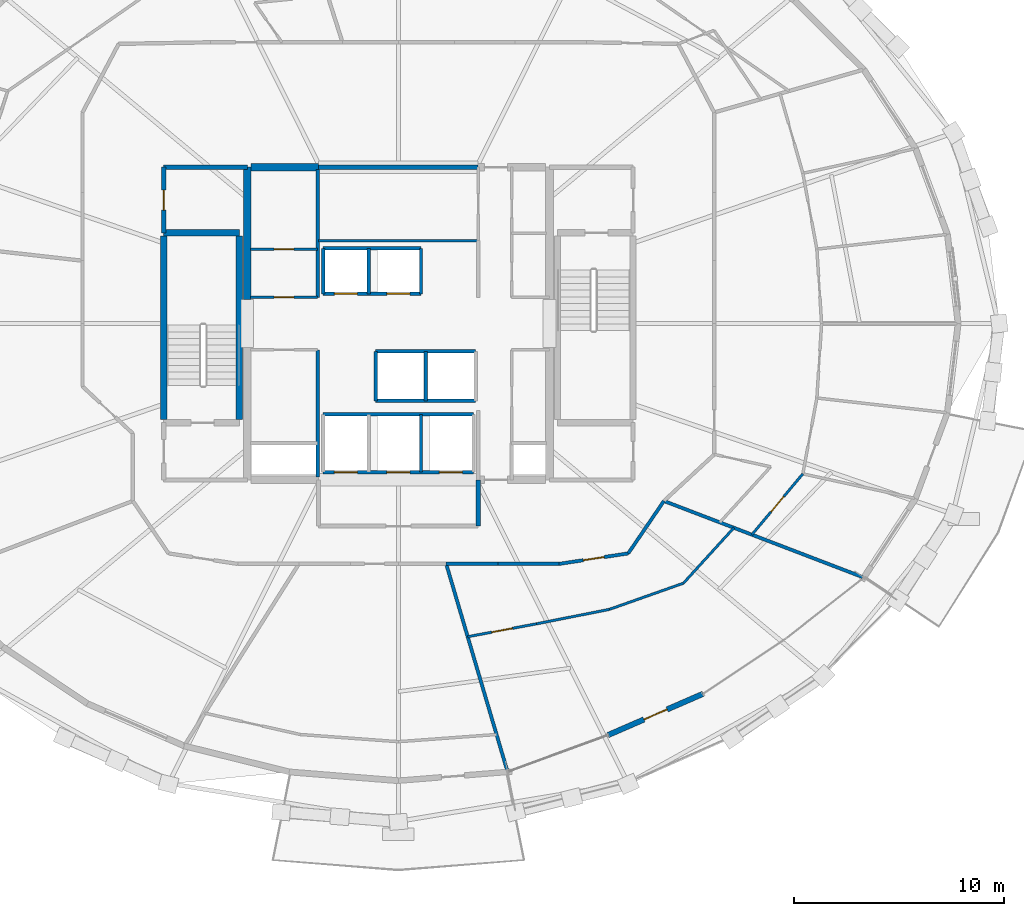
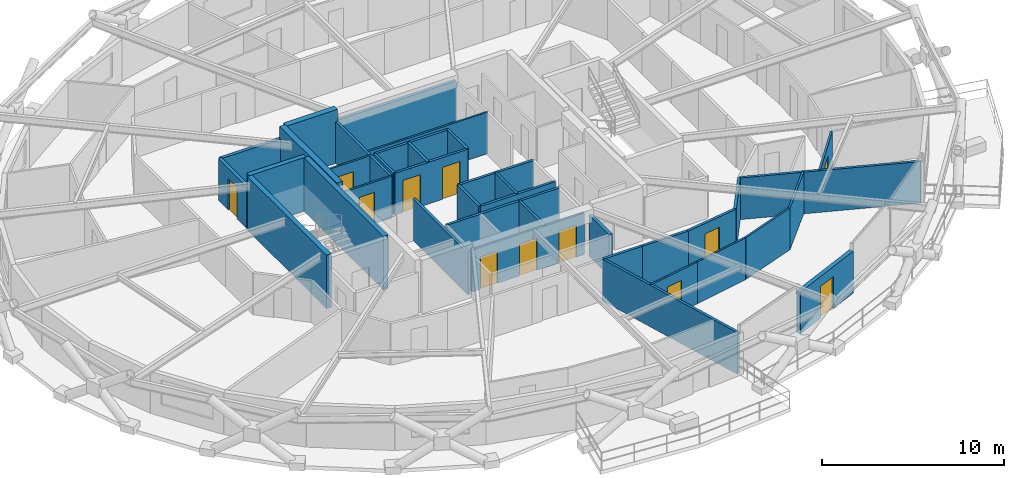
# One storey, part 8 of 12: 38 walls, 12 doors, 12 openings.
"""IFC4 building model written with IfcOpenShell, lengths in metres."""

from ifc_helpers import new_model, si_unit, direction, frame, frame_2d, origin, place, context, subcontext, project, spatial, rectangle, extrude, material, layer, layer_set, type_object, element, fill, save


model = new_model("IFC4")

# Units and contexts
model_context = context("Model", 3, precision=1e-05, world=origin(), true_north=direction((0.0, 1.0)))
body_context = subcontext(model_context, "Body", "Model", "MODEL_VIEW")
ifc_project = project(units=[si_unit("LENGTHUNIT", "METRE"), si_unit("AREAUNIT", "SQUARE_METRE"), si_unit("VOLUMEUNIT", "CUBIC_METRE"), si_unit("PLANEANGLEUNIT", "RADIAN"), si_unit("MASSUNIT", "GRAM", prefix="KILO")], contexts=[model_context])

# Site, building, storey
site_placement = place(None, origin())
site = spatial("IfcSite", under=ifc_project, at=site_placement, CompositionType="ELEMENT")
building_placement = place(site_placement, origin())
building = spatial("IfcBuilding", under=site, at=building_placement, Name="Veldorina Hangang Commons", CompositionType="ELEMENT")
storey_placement = place(building_placement, frame((0.0, 0.0, 124.39990234375)))
storey = spatial("IfcBuildingStorey", under=building, at=storey_placement, Name="L31", CompositionType="ELEMENT", Elevation=124.39990234375)

# Walls
ifc_material_1 = material(Name="Concrete C60/75", Category="concrete")
ifc_layer_1 = layer(ifc_material_1, 0.360107421875)
ifc_layer_set_1 = layer_set([ifc_layer_1], Name="Concrete C60/75")
wall_type_1 = type_object("IfcWallType", Name="CW-RC360-C60", PredefinedType="SHEAR", material=ifc_layer_set_1)
wall_1_placement = place(storey_placement, frame((24.800048828125, 25.14990234375, 0.0), z_axis=(0.0, 0.0, 1.0), x_axis=(0.0, 1.0, 0.0)))
element("IfcWall", 1, at=wall_1_placement, inside=storey, type_object=wall_type_1, Name="L31 W north core shear wall", PredefinedType="SHEAR", context=body_context, shape_type="SweptSolid", body=[
    extrude(rectangle(XDim=6.300048828125, YDim=0.360107421875, at=frame_2d((3.14990234375, 0.0))), origin(), (0.0, 0.0, 1.0), 3.60009765625),
])
wall_2_placement = place(storey_placement, frame((24.97998046875, 31.449951171875, 0.0), z_axis=(0.0, 0.0, 1.0), x_axis=(1.0, 0.0, 0.0)))
element("IfcWall", 2, at=wall_2_placement, inside=storey, type_object=wall_type_1, Name="L31 north-west core shear wall", PredefinedType="SHEAR", context=body_context, shape_type="SweptSolid", body=[
    extrude(rectangle(XDim=3.219970703125, YDim=0.360107421875, at=frame_2d((1.60986328125, 0.0))), origin(), (0.0, 0.0, 1.0), 3.60009765625),
])

# Wall, opening, door
ifc_material_2 = material(Name="Stone Roman Travertine", Category="masonry")
ifc_layer_2 = layer(ifc_material_2, 0.260009765625)
ifc_layer_set_2 = layer_set([ifc_layer_2], Name="Stone Roman Travertine")
wall_type_2 = type_object("IfcWallType", Name="EW-LOGGIA-260", PredefinedType="STANDARD", material=ifc_layer_set_2)
wall_3_placement = place(storey_placement, frame((41.990478515625, 4.396484375, 0.0), z_axis=(0.0, 0.0, 1.0), x_axis=(0.917175715583, 0.398483006846, 0.0)))
wall_3 = element("IfcWall", 3, at=wall_3_placement, inside=storey, type_object=wall_type_2, Name="L31 sky-garden loggia portal wall 26", PredefinedType="STANDARD", context=body_context, shape_type="SweptSolid", body=[
    extrude(rectangle(XDim=4.9208984375, YDim=0.260009765625, at=frame_2d((2.46044921875, 0.0))), origin(), (0.0, 0.0, 1.0), 2.820068359375),
])
opening_1_placement = place(wall_3_placement, frame((1.860595703125, 0.0, 0.0)))
opening_1 = element("IfcOpeningElement", 4, at=opening_1_placement, cuts=wall_3, Name="Opening BD-1200", PredefinedType="OPENING", context=body_context, shape_type="SweptSolid", body=[
    extrude(rectangle(XDim=1.199951171875, YDim=2.14990234375, at=frame_2d((0.60009765625, 1.074951171875))), frame((0.0, 0.14013671875, 0.0), z_axis=(0.0, -1.0, 0.0), x_axis=(1.0, 0.0, 0.0)), (0.0, 0.0, 1.0), 0.280029296875),
])
ifc_material_3 = material(Name="Glass Thermal Aluminium Frame", Category="aluminium")
door_type_1 = type_object("IfcDoorType", Name="DR-EXT-LOG1200", OperationType="SINGLE_SWING_LEFT", PredefinedType="DOOR", material=ifc_material_3)
door_1_placement = place(opening_1_placement, origin())
door_1 = element("IfcDoor", 5, at=door_1_placement, inside=storey, type_object=door_type_1, Name="L31 loggia glazed exterior door 26", OperationType="SINGLE_SWING_LEFT", OverallHeight=2.14990234375, OverallWidth=1.199951171875, PredefinedType="DOOR", context=body_context, shape_type="SweptSolid", body=[
    extrude(rectangle(XDim=1.199951171875, YDim=2.14990234375, at=frame_2d((0.60009765625, 1.074951171875))), frame((0.0, 0.02490234375, 0.0), z_axis=(0.0, -1.0, 0.0), x_axis=(1.0, 0.0, 0.0)), (0.0, 0.0, 1.0), 0.050048828125),
])
fill(opening_1, door_1)

# Walls
ifc_material_4 = material(Name="Concrete C50/60", Category="concrete")
ifc_layer_3 = layer(ifc_material_4, 0.300048828125)
ifc_layer_set_3 = layer_set([ifc_layer_3], Name="Concrete C50/60")
wall_type_3 = type_object("IfcWallType", Name="SW-STAIR-300", PredefinedType="SHEAR", material=ifc_layer_set_3)
for number, where, z_axis, x_axis, name in (
    (6, (20.820068359375, 19.429931640625, 0.0), (0.0, 0.0, 1.0), (0.0, 1.0, 0.0), "L31 ST1 outer stair shear wall"),
    (7, (24.419921875, 19.429931640625, 0.0), (0.0, 0.0, 1.0), (0.0, 1.0, 0.0), "L31 ST1 inner stair shear wall"),
):
    element("IfcWall", number, at=place(storey_placement, frame(where, z_axis=z_axis, x_axis=x_axis)), inside=storey, type_object=wall_type_3, Name=name, PredefinedType="SHEAR", context=body_context, shape_type="SweptSolid", body=[
        extrude(rectangle(XDim=8.739990234375, YDim=0.300048828125, at=frame_2d((4.3701171875, 0.0))), origin(), (0.0, 0.0, 1.0), 3.60009765625),
    ])
wall_4_placement = place(storey_placement, frame((20.820068359375, 28.320068359375, 0.0), z_axis=(0.0, 0.0, 1.0), x_axis=(1.0, 0.0, 0.0)))
element("IfcWall", 8, at=wall_4_placement, inside=storey, type_object=wall_type_3, Name="L31 ST1 north stair shear wall", PredefinedType="SHEAR", context=body_context, shape_type="SweptSolid", body=[
    extrude(rectangle(XDim=3.599853515625, YDim=0.300048828125, at=frame_2d((1.7998046875, 0.0))), origin(), (0.0, 0.0, 1.0), 3.60009765625),
])

# Wall, openings, doors
ifc_material_5 = material(Name="Gypsum Fire-Rated Twin Stud Wall", Category="gypsum")
ifc_layer_4 = layer(ifc_material_5, 0.159912109375)
ifc_layer_set_4 = layer_set([ifc_layer_4], Name="Gypsum Fire-Rated Twin Stud Wall")
wall_type_4 = type_object("IfcWallType", Name="WL-FIRE-160", PredefinedType="SOLIDWALL", material=ifc_layer_set_4)
wall_5_placement = place(storey_placement, frame((28.419921875, 25.419921875, 0.0), z_axis=(0.0, 0.0, 1.0), x_axis=(1.0, 0.0, 0.0)))
wall_5 = element("IfcWall", 9, at=wall_5_placement, inside=storey, type_object=wall_type_4, Name="L31 Mid-high front shaft wall 015", PredefinedType="SOLIDWALL", context=body_context, shape_type="SweptSolid", body=[
    extrude(rectangle(XDim=4.66015625, YDim=0.159912109375, at=frame_2d((2.330078125, 0.0))), origin(), (0.0, 0.0, 1.0), 2.800048828125),
])
opening_2_placement = place(wall_5_placement, frame((0.530029296875, 0.0, 0.0)))
opening_2 = element("IfcOpeningElement", 10, at=opening_2_placement, cuts=wall_5, Name="Opening LD-01", PredefinedType="OPENING", context=body_context, shape_type="SweptSolid", body=[
    extrude(rectangle(XDim=1.10009765625, YDim=2.14990234375, at=frame_2d((0.550048828125, 1.074951171875))), frame((0.0, 0.08984375, 0.0), z_axis=(0.0, -1.0, 0.0), x_axis=(1.0, 0.0, 0.0)), (0.0, 0.0, 1.0), 0.179931640625),
])
opening_3_placement = place(wall_5_placement, frame((3.030029296875, 0.0, 0.0)))
opening_3 = element("IfcOpeningElement", 11, at=opening_3_placement, cuts=wall_5, Name="Opening LD-01", PredefinedType="OPENING", context=body_context, shape_type="SweptSolid", body=[
    extrude(rectangle(XDim=1.10009765625, YDim=2.14990234375, at=frame_2d((0.550048828125, 1.074951171875))), frame((0.0, 0.08984375, 0.0), z_axis=(0.0, -1.0, 0.0), x_axis=(1.0, 0.0, 0.0)), (0.0, 0.0, 1.0), 0.179931640625),
])
ifc_material_6 = material(Name="Stainless Steel Brushed Lift Door", Category="steel")
door_type_2 = type_object("IfcDoorType", Name="DR-LIFT-1100", OperationType="SLIDING_TO_LEFT", PredefinedType="DOOR", material=ifc_material_6)
door_2_placement = place(opening_2_placement, origin())
door_2 = element("IfcDoor", 12, at=door_2_placement, inside=storey, type_object=door_type_2, Name="L31 Lift PL-M1 landing door 006", OperationType="SLIDING_TO_RIGHT", OverallHeight=2.14990234375, OverallWidth=1.10009765625, PredefinedType="DOOR", context=body_context, shape_type="SweptSolid", body=[
    extrude(rectangle(XDim=1.10009765625, YDim=2.14990234375, at=frame_2d((0.550048828125, 1.074951171875))), frame((0.0, 0.02490234375, 0.0), z_axis=(0.0, -1.0, 0.0), x_axis=(1.0, 0.0, 0.0)), (0.0, 0.0, 1.0), 0.050048828125),
])
fill(opening_2, door_2)
door_3_placement = place(opening_3_placement, origin())
door_3 = element("IfcDoor", 13, at=door_3_placement, inside=storey, type_object=door_type_2, Name="L31 Lift PL-M2 landing door 007", OperationType="SLIDING_TO_RIGHT", OverallHeight=2.14990234375, OverallWidth=1.10009765625, PredefinedType="DOOR", context=body_context, shape_type="SweptSolid", body=[
    extrude(rectangle(XDim=1.10009765625, YDim=2.14990234375, at=frame_2d((0.550048828125, 1.074951171875))), frame((0.0, 0.02490234375, 0.0), z_axis=(0.0, -1.0, 0.0), x_axis=(1.0, 0.0, 0.0)), (0.0, 0.0, 1.0), 0.050048828125),
])
fill(opening_3, door_3)

# Walls
wall_6_placement = place(storey_placement, frame((28.419921875, 27.580078125, 0.0), z_axis=(0.0, 0.0, 1.0), x_axis=(1.0, 0.0, 0.0)))
element("IfcWall", 14, at=wall_6_placement, inside=storey, type_object=wall_type_4, Name="L31 Mid-high rear shaft wall 016", PredefinedType="SOLIDWALL", context=body_context, shape_type="SweptSolid", body=[
    extrude(rectangle(XDim=4.66015625, YDim=0.159912109375, at=frame_2d((2.330078125, 0.0))), origin(), (0.0, 0.0, 1.0), 2.800048828125),
])
for number, where, z_axis, x_axis, name in (
    (15, (28.419921875, 25.419921875, 0.0), (0.0, 0.0, 1.0), (0.0, 1.0, 0.0), "L31 PL-M1 west shaft wall 017"),
    (16, (30.580078125, 25.419921875, 0.0), (0.0, 0.0, 1.0), (0.0, 1.0, 0.0), "L31 PL-M1 east shaft wall 018"),
    (17, (33.080078125, 25.419921875, 0.0), (0.0, 0.0, 1.0), (0.0, 1.0, 0.0), "L31 PL-M2 east shaft wall 019"),
):
    element("IfcWall", number, at=place(storey_placement, frame(where, z_axis=z_axis, x_axis=x_axis)), inside=storey, type_object=wall_type_4, Name=name, PredefinedType="SOLIDWALL", context=body_context, shape_type="SweptSolid", body=[
        extrude(rectangle(XDim=2.16015625, YDim=0.159912109375, at=frame_2d((1.080078125, 0.0))), origin(), (0.0, 0.0, 1.0), 2.800048828125),
    ])
for number, where, z_axis, x_axis, name in (
    (18, (30.919921875, 22.679931640625, 0.0), (0.0, 0.0, 1.0), (1.0, 0.0, 0.0), "L31 Shuttle-high front shaft wall 020"),
    (19, (30.919921875, 20.320068359375, 0.0), (0.0, 0.0, 1.0), (1.0, 0.0, 0.0), "L31 Shuttle-high rear shaft wall 021"),
):
    element("IfcWall", number, at=place(storey_placement, frame(where, z_axis=z_axis, x_axis=x_axis)), inside=storey, type_object=wall_type_4, Name=name, PredefinedType="SOLIDWALL", context=body_context, shape_type="SweptSolid", body=[
        extrude(rectangle(XDim=4.760009765625, YDim=0.159912109375, at=frame_2d((2.3798828125, 0.0))), origin(), (0.0, 0.0, 1.0), 2.800048828125),
    ])
for number, where, z_axis, x_axis, name in (
    (20, (30.919921875, 20.320068359375, 0.0), (0.0, 0.0, 1.0), (0.0, 1.0, 0.0), "L31 SL-1 west shaft wall 022"),
    (21, (33.300048828125, 20.320068359375, 0.0), (0.0, 0.0, 1.0), (0.0, 1.0, 0.0), "L31 SL-1 east shaft wall 023"),
):
    element("IfcWall", number, at=place(storey_placement, frame(where, z_axis=z_axis, x_axis=x_axis)), inside=storey, type_object=wall_type_4, Name=name, PredefinedType="SOLIDWALL", context=body_context, shape_type="SweptSolid", body=[
        extrude(rectangle(XDim=2.35986328125, YDim=0.159912109375, at=frame_2d((1.179931640625, 0.0))), origin(), (0.0, 0.0, 1.0), 2.800048828125),
    ])

# Wall, openings, doors
wall_7_placement = place(storey_placement, frame((28.419921875, 16.919921875, 0.0), z_axis=(0.0, 0.0, 1.0), x_axis=(1.0, 0.0, 0.0)))
wall_7 = element("IfcWall", 22, at=wall_7_placement, inside=storey, type_object=wall_type_4, Name="L31 Emergency front shaft wall 025", PredefinedType="SOLIDWALL", context=body_context, shape_type="SweptSolid", body=[
    extrude(rectangle(XDim=7.16015625, YDim=0.159912109375, at=frame_2d((3.580078125, 0.0))), origin(), (0.0, 0.0, 1.0), 2.800048828125),
])
opening_4_placement = place(wall_7_placement, frame((0.530029296875, 0.0, 0.0)))
opening_4 = element("IfcOpeningElement", 23, at=opening_4_placement, cuts=wall_7, Name="Opening LD-03", PredefinedType="OPENING", context=body_context, shape_type="SweptSolid", body=[
    extrude(rectangle(XDim=1.10009765625, YDim=2.14990234375, at=frame_2d((0.550048828125, 1.074951171875))), frame((0.0, 0.08984375, 0.0), z_axis=(0.0, -1.0, 0.0), x_axis=(1.0, 0.0, 0.0)), (0.0, 0.0, 1.0), 0.179931640625),
])
opening_5_placement = place(wall_7_placement, frame((3.030029296875, 0.0, 0.0)))
opening_5 = element("IfcOpeningElement", 24, at=opening_5_placement, cuts=wall_7, Name="Opening LD-03", PredefinedType="OPENING", context=body_context, shape_type="SweptSolid", body=[
    extrude(rectangle(XDim=1.10009765625, YDim=2.14990234375, at=frame_2d((0.550048828125, 1.074951171875))), frame((0.0, 0.08984375, 0.0), z_axis=(0.0, -1.0, 0.0), x_axis=(1.0, 0.0, 0.0)), (0.0, 0.0, 1.0), 0.179931640625),
])
opening_6_placement = place(wall_7_placement, frame((5.530029296875, 0.0, 0.0)))
opening_6 = element("IfcOpeningElement", 25, at=opening_6_placement, cuts=wall_7, Name="Opening LD-03", PredefinedType="OPENING", context=body_context, shape_type="SweptSolid", body=[
    extrude(rectangle(XDim=1.10009765625, YDim=2.14990234375, at=frame_2d((0.550048828125, 1.074951171875))), frame((0.0, 0.08984375, 0.0), z_axis=(0.0, -1.0, 0.0), x_axis=(1.0, 0.0, 0.0)), (0.0, 0.0, 1.0), 0.179931640625),
])
ifc_material_7 = material(Name="Stainless Steel Firefighting Lift Door", Category="steel")
door_type_3 = type_object("IfcDoorType", Name="DR-LIFT-FF1100", OperationType="SLIDING_TO_RIGHT", PredefinedType="DOOR", material=ifc_material_7)
door_4_placement = place(opening_4_placement, origin())
door_4 = element("IfcDoor", 26, at=door_4_placement, inside=storey, type_object=door_type_3, Name="L31 Emergency lift FFL-1 landing door 008", OperationType="SLIDING_TO_RIGHT", OverallHeight=2.14990234375, OverallWidth=1.10009765625, PredefinedType="DOOR", context=body_context, shape_type="SweptSolid", body=[
    extrude(rectangle(XDim=1.10009765625, YDim=2.14990234375, at=frame_2d((0.550048828125, 1.074951171875))), frame((0.0, 0.02490234375, 0.0), z_axis=(0.0, -1.0, 0.0), x_axis=(1.0, 0.0, 0.0)), (0.0, 0.0, 1.0), 0.050048828125),
])
fill(opening_4, door_4)
door_5_placement = place(opening_5_placement, origin())
door_5 = element("IfcDoor", 27, at=door_5_placement, inside=storey, type_object=door_type_3, Name="L31 Emergency lift FFL-2 landing door 009", OperationType="SLIDING_TO_RIGHT", OverallHeight=2.14990234375, OverallWidth=1.10009765625, PredefinedType="DOOR", context=body_context, shape_type="SweptSolid", body=[
    extrude(rectangle(XDim=1.10009765625, YDim=2.14990234375, at=frame_2d((0.550048828125, 1.074951171875))), frame((0.0, 0.02490234375, 0.0), z_axis=(0.0, -1.0, 0.0), x_axis=(1.0, 0.0, 0.0)), (0.0, 0.0, 1.0), 0.050048828125),
])
fill(opening_5, door_5)
door_6_placement = place(opening_6_placement, origin())
door_6 = element("IfcDoor", 28, at=door_6_placement, inside=storey, type_object=door_type_3, Name="L31 Emergency lift EVL-1 landing door 010", OperationType="SLIDING_TO_RIGHT", OverallHeight=2.14990234375, OverallWidth=1.10009765625, PredefinedType="DOOR", context=body_context, shape_type="SweptSolid", body=[
    extrude(rectangle(XDim=1.10009765625, YDim=2.14990234375, at=frame_2d((0.550048828125, 1.074951171875))), frame((0.0, 0.02490234375, 0.0), z_axis=(0.0, -1.0, 0.0), x_axis=(1.0, 0.0, 0.0)), (0.0, 0.0, 1.0), 0.050048828125),
])
fill(opening_6, door_6)

# Walls
wall_8_placement = place(storey_placement, frame((28.419921875, 19.679931640625, 0.0), z_axis=(0.0, 0.0, 1.0), x_axis=(1.0, 0.0, 0.0)))
element("IfcWall", 29, at=wall_8_placement, inside=storey, type_object=wall_type_4, Name="L31 Emergency rear shaft wall 026", PredefinedType="SOLIDWALL", context=body_context, shape_type="SweptSolid", body=[
    extrude(rectangle(XDim=7.16015625, YDim=0.159912109375, at=frame_2d((3.580078125, 0.0))), origin(), (0.0, 0.0, 1.0), 2.800048828125),
])
wall_9_placement = place(storey_placement, frame((33.080078125, 16.919921875, 0.0), z_axis=(0.0, 0.0, 1.0), x_axis=(0.0, 1.0, 0.0)))
element("IfcWall", 30, at=wall_9_placement, inside=storey, type_object=wall_type_4, Name="L31 FFL-2 east shaft wall 029", PredefinedType="SOLIDWALL", context=body_context, shape_type="SweptSolid", body=[
    extrude(rectangle(XDim=2.760009765625, YDim=0.159912109375, at=frame_2d((1.3798828125, 0.0))), origin(), (0.0, 0.0, 1.0), 2.800048828125),
])
wall_10_placement = place(storey_placement, frame((28.14990234375, 16.699951171875, 0.0), z_axis=(0.0, 0.0, 1.0), x_axis=(0.0, 1.0, 0.0)))
element("IfcWall", 31, at=wall_10_placement, inside=storey, type_object=wall_type_4, Name="L31 SW core inner wall 035", PredefinedType="SOLIDWALL", context=body_context, shape_type="SweptSolid", body=[
    extrude(rectangle(XDim=6.050048828125, YDim=0.159912109375, at=frame_2d((3.02490234375, 0.0))), origin(), (0.0, 0.0, 1.0), 2.800048828125),
])
wall_11_placement = place(storey_placement, frame((28.14990234375, 25.25, 0.0), z_axis=(0.0, 0.0, 1.0), x_axis=(0.0, 1.0, 0.0)))
element("IfcWall", 32, at=wall_11_placement, inside=storey, type_object=wall_type_4, Name="L31 NW core inner wall 037", PredefinedType="SOLIDWALL", context=body_context, shape_type="SweptSolid", body=[
    extrude(rectangle(XDim=6.10009765625, YDim=0.159912109375, at=frame_2d((3.050048828125, 0.0))), origin(), (0.0, 0.0, 1.0), 2.800048828125),
])
wall_12_placement = place(storey_placement, frame((34.277587890625, 12.550048828125, 0.0), z_axis=(0.0, 0.0, 1.0), x_axis=(1.0, 0.0, 0.0)))
element("IfcWall", 33, at=wall_12_placement, inside=storey, type_object=wall_type_4, Name="L31 U-corridor outer wall 25 071", PredefinedType="SOLIDWALL", context=body_context, shape_type="SweptSolid", body=[
    extrude(rectangle(XDim=2.465087890625, YDim=0.159912109375, at=frame_2d((1.232421875, 0.0))), origin(), (0.0, 0.0, 1.0), 2.800048828125),
])
wall_13_placement = place(storey_placement, frame((36.74267578125, 12.550048828125, 0.0), z_axis=(0.0, 0.0, 1.0), x_axis=(1.0, 0.0, 0.0)))
element("IfcWall", 34, at=wall_13_placement, inside=storey, type_object=wall_type_4, Name="L31 U-corridor outer wall 26 072", PredefinedType="SOLIDWALL", context=body_context, shape_type="SweptSolid", body=[
    extrude(rectangle(XDim=2.907958984375, YDim=0.159912109375, at=frame_2d((1.4541015625, 0.0))), origin(), (0.0, 0.0, 1.0), 2.800048828125),
])

# Wall, opening, door
wall_14_placement = place(storey_placement, frame((39.650634765625, 12.550048828125, 0.0), z_axis=(0.0, 0.0, 1.0), x_axis=(0.988710906508, 0.149835721217, 0.0)))
wall_14 = element("IfcWall", 35, at=wall_14_placement, inside=storey, type_object=wall_type_4, Name="L31 U-corridor outer wall 27 073", PredefinedType="SOLIDWALL", context=body_context, shape_type="SweptSolid", body=[
    extrude(rectangle(XDim=3.3369140625, YDim=0.159912109375, at=frame_2d((1.66845703125, 0.0))), origin(), (0.0, 0.0, 1.0), 2.800048828125),
])
opening_7_placement = place(wall_14_placement, frame((1.16845703125, 0.0, 0.0)))
opening_7 = element("IfcOpeningElement", 36, at=opening_7_placement, cuts=wall_14, Name="Opening D-05", PredefinedType="OPENING", context=body_context, shape_type="SweptSolid", body=[
    extrude(rectangle(XDim=1.0, YDim=2.10009765625, at=frame_2d((0.5, 1.050048828125))), frame((0.0, 0.08984375, 0.0), z_axis=(0.0, -1.0, 0.0), x_axis=(1.0, 0.0, 0.0)), (0.0, 0.0, 1.0), 0.179931640625),
])
ifc_material_8 = material(Name="Timber Solid Core Acoustic", Category="wood")
door_type_4 = type_object("IfcDoorType", Name="DR-INT-1000", OperationType="SINGLE_SWING_RIGHT", PredefinedType="DOOR", material=ifc_material_8)
door_7_placement = place(opening_7_placement, origin())
door_7 = element("IfcDoor", 37, at=door_7_placement, inside=storey, type_object=door_type_4, Name="L31 Commons alcove door 018", OperationType="SINGLE_SWING_RIGHT", OverallHeight=2.10009765625, OverallWidth=1.0, PredefinedType="DOOR", context=body_context, shape_type="SweptSolid", body=[
    extrude(rectangle(XDim=1.0, YDim=2.10009765625, at=frame_2d((0.5, 1.050048828125))), frame((0.0, 0.02490234375, 0.0), z_axis=(0.0, -1.0, 0.0), x_axis=(1.0, 0.0, 0.0)), (0.0, 0.0, 1.0), 0.050048828125),
])
fill(opening_7, door_7)

# Walls
wall_15_placement = place(storey_placement, frame((42.949951171875, 13.050048828125, 0.0), z_axis=(0.0, 0.0, 1.0), x_axis=(0.562674669208, 0.826678423955, 0.0)))
element("IfcWall", 38, at=wall_15_placement, inside=storey, type_object=wall_type_4, Name="L31 U-corridor outer wall 28 074", PredefinedType="SOLIDWALL", context=body_context, shape_type="SweptSolid", body=[
    extrude(rectangle(XDim=3.021240234375, YDim=0.159912109375, at=frame_2d((1.5107421875, 0.0))), origin(), (0.0, 0.0, 1.0), 2.800048828125),
])
wall_16_placement = place(storey_placement, frame((34.277587890625, 12.550048828125, 0.0), z_axis=(0.0, 0.0, 1.0), x_axis=(0.283064731291, -0.959100806954, 0.0)))
element("IfcWall", 39, at=wall_16_placement, inside=storey, type_object=wall_type_4, Name="L31 Unit party wall 25 078", PredefinedType="SOLIDWALL", context=body_context, shape_type="SweptSolid", body=[
    extrude(rectangle(XDim=10.28271484375, YDim=0.159912109375, at=frame_2d((5.141357421875, 0.0))), origin(), (0.0, 0.0, 1.0), 2.800048828125),
])
wall_17_placement = place(storey_placement, frame((44.64990234375, 15.547607421875, 0.0), z_axis=(0.0, 0.0, 1.0), x_axis=(0.933853161124, -0.35765664185, 0.0)))
element("IfcWall", 40, at=wall_17_placement, inside=storey, type_object=wall_type_4, Name="L31 Unit party wall 29 083", PredefinedType="SOLIDWALL", context=body_context, shape_type="SweptSolid", body=[
    extrude(rectangle(XDim=10.14697265625, YDim=0.159912109375, at=frame_2d((5.073486328125, 0.0))), origin(), (0.0, 0.0, 1.0), 2.800048828125),
])

# Wall, opening, door
ifc_material_9 = material(Name="Concrete Blockwork Fire Wall C30/37", Category="masonry")
ifc_layer_5 = layer(ifc_material_9, 0.199951171875)
ifc_layer_set_5 = layer_set([ifc_layer_5], Name="Concrete Blockwork Fire Wall C30/37")
wall_type_5 = type_object("IfcWallType", Name="WL-FIRE-200", PredefinedType="SOLIDWALL", material=ifc_layer_set_5)
wall_18_placement = place(storey_placement, frame((20.820068359375, 28.320068359375, 0.0), z_axis=(0.0, 0.0, 1.0), x_axis=(0.0, 1.0, 0.0)))
wall_18 = element("IfcWall", 41, at=wall_18_placement, inside=storey, type_object=wall_type_5, Name="L31 NW core room outer wall 005", PredefinedType="SOLIDWALL", context=body_context, shape_type="SweptSolid", body=[
    extrude(rectangle(XDim=3.1298828125, YDim=0.199951171875, at=frame_2d((1.56494140625, 0.0))), origin(), (0.0, 0.0, 1.0), 2.800048828125),
])
opening_8_placement = place(wall_18_placement, frame((1.090087890625, 0.0, 0.0)))
opening_8 = element("IfcOpeningElement", 42, at=opening_8_placement, cuts=wall_18, Name="Opening D-04", PredefinedType="OPENING", context=body_context, shape_type="SweptSolid", body=[
    extrude(rectangle(XDim=0.949951171875, YDim=2.10009765625, at=frame_2d((0.47509765625, 1.050048828125))), frame((0.0, 0.10986328125, 0.0), z_axis=(0.0, -1.0, 0.0), x_axis=(1.0, 0.0, 0.0)), (0.0, 0.0, 1.0), 0.219970703125),
])
ifc_material_10 = material(Name="Timber Accessible Flush Leaf", Category="wood")
door_type_5 = type_object("IfcDoorType", Name="DR-ACC-950", OperationType="SINGLE_SWING_LEFT", PredefinedType="DOOR", material=ifc_material_10)
door_8_placement = place(opening_8_placement, origin())
door_8 = element("IfcDoor", 43, at=door_8_placement, inside=storey, type_object=door_type_5, Name="L31 NW core WC door 003", OperationType="SINGLE_SWING_LEFT", OverallHeight=2.10009765625, OverallWidth=0.949951171875, PredefinedType="DOOR", context=body_context, shape_type="SweptSolid", body=[
    extrude(rectangle(XDim=0.949951171875, YDim=2.10009765625, at=frame_2d((0.47509765625, 1.050048828125))), frame((0.0, 0.02490234375, 0.0), z_axis=(0.0, -1.0, 0.0), x_axis=(1.0, 0.0, 0.0)), (0.0, 0.0, 1.0), 0.050048828125),
])
fill(opening_8, door_8)

# Walls
wall_19_placement = place(storey_placement, frame((20.820068359375, 31.449951171875, 0.0), z_axis=(0.0, 0.0, 1.0), x_axis=(1.0, 0.0, 0.0)))
element("IfcWall", 44, at=wall_19_placement, inside=storey, type_object=wall_type_5, Name="L31 NW core room north wall 006", PredefinedType="SOLIDWALL", context=body_context, shape_type="SweptSolid", body=[
    extrude(rectangle(XDim=3.97998046875, YDim=0.199951171875, at=frame_2d((1.989990234375, 0.0))), origin(), (0.0, 0.0, 1.0), 2.800048828125),
])
wall_20_placement = place(storey_placement, frame((35.800048828125, 14.35009765625, 0.0), z_axis=(0.0, 0.0, 1.0), x_axis=(0.0, 1.0, 0.0)))
element("IfcWall", 45, at=wall_20_placement, inside=storey, type_object=wall_type_5, Name="L31 FF lobby east wall 013", PredefinedType="SOLIDWALL", context=body_context, shape_type="SweptSolid", body=[
    extrude(rectangle(XDim=2.199951171875, YDim=0.199951171875, at=frame_2d((1.10009765625, 0.0))), origin(), (0.0, 0.0, 1.0), 2.800048828125),
])
wall_21_placement = place(storey_placement, frame((28.199951171875, 31.449951171875, 0.0), z_axis=(0.0, 0.0, 1.0), x_axis=(1.0, 0.0, 0.0)))
element("IfcWall", 46, at=wall_21_placement, inside=storey, type_object=wall_type_5, Name="L31 Merged north core wall 031", PredefinedType="SOLIDWALL", context=body_context, shape_type="SweptSolid", body=[
    extrude(rectangle(XDim=7.60009765625, YDim=0.199951171875, at=frame_2d((3.800048828125, 0.0))), origin(), (0.0, 0.0, 1.0), 2.800048828125),
])
ifc_material_11 = material(Name="Gypsum Acoustic Stud Partition", Category="gypsum")
ifc_layer_6 = layer(ifc_material_11, 0.1201171875)
ifc_layer_set_6 = layer_set([ifc_layer_6], Name="Gypsum Acoustic Stud Partition")
wall_type_6 = type_object("IfcWallType", Name="WL-PART-120", PredefinedType="PARTITIONING", material=ifc_layer_set_6)
wall_22_placement = place(storey_placement, frame((28.199951171875, 27.949951171875, 0.0), z_axis=(0.0, 0.0, 1.0), x_axis=(1.0, 0.0, 0.0)))
element("IfcWall", 47, at=wall_22_placement, inside=storey, type_object=wall_type_6, Name="L31 Merged north south wall 032", PredefinedType="PARTITIONING", context=body_context, shape_type="SweptSolid", body=[
    extrude(rectangle(XDim=7.60009765625, YDim=0.1201171875, at=frame_2d((3.800048828125, 0.0))), origin(), (0.0, 0.0, 1.0), 2.800048828125),
])

# Wall, opening, door
wall_23_placement = place(storey_placement, frame((24.949951171875, 25.25, 0.0), z_axis=(0.0, 0.0, 1.0), x_axis=(1.0, 0.0, 0.0)))
wall_23 = element("IfcWall", 48, at=wall_23_placement, inside=storey, type_object=wall_type_6, Name="L31 NW service south wall 038", PredefinedType="PARTITIONING", context=body_context, shape_type="SweptSolid", body=[
    extrude(rectangle(XDim=3.199951171875, YDim=0.1201171875, at=frame_2d((1.60009765625, 0.0))), origin(), (0.0, 0.0, 1.0), 2.800048828125),
])
opening_9_placement = place(wall_23_placement, frame((1.125, 0.0, 0.0)))
opening_9 = element("IfcOpeningElement", 49, at=opening_9_placement, cuts=wall_23, Name="Opening D-02", PredefinedType="OPENING", context=body_context, shape_type="SweptSolid", body=[
    extrude(rectangle(XDim=0.949951171875, YDim=2.10009765625, at=frame_2d((0.47509765625, 1.050048828125))), frame((0.0, 0.070068359375, 0.0), z_axis=(0.0, -1.0, 0.0), x_axis=(1.0, 0.0, 0.0)), (0.0, 0.0, 1.0), 0.14013671875),
])
door_type_6 = type_object("IfcDoorType", Name="DR-INT-950", OperationType="SINGLE_SWING_LEFT", PredefinedType="DOOR", material=ifc_material_8)
door_9_placement = place(opening_9_placement, origin())
door_9 = element("IfcDoor", 50, at=door_9_placement, inside=storey, type_object=door_type_6, Name="L31 Housekeeping pantry door 012", OperationType="SINGLE_SWING_RIGHT", OverallHeight=2.10009765625, OverallWidth=0.949951171875, PredefinedType="DOOR", context=body_context, shape_type="SweptSolid", body=[
    extrude(rectangle(XDim=0.949951171875, YDim=2.10009765625, at=frame_2d((0.47509765625, 1.050048828125))), frame((0.0, 0.02490234375, 0.0), z_axis=(0.0, -1.0, 0.0), x_axis=(1.0, 0.0, 0.0)), (0.0, 0.0, 1.0), 0.050048828125),
])
fill(opening_9, door_9)

wall_24_placement = place(storey_placement, frame((24.949951171875, 27.550048828125, 0.0), z_axis=(0.0, 0.0, 1.0), x_axis=(1.0, 0.0, 0.0)))
wall_24 = element("IfcWall", 51, at=wall_24_placement, inside=storey, type_object=wall_type_6, Name="L31 NW mid wall 044", PredefinedType="PARTITIONING", context=body_context, shape_type="SweptSolid", body=[
    extrude(rectangle(XDim=3.199951171875, YDim=0.1201171875, at=frame_2d((1.60009765625, 0.0))), origin(), (0.0, 0.0, 1.0), 2.800048828125),
])
opening_10_placement = place(wall_24_placement, frame((1.125, 0.0, 0.0)))
opening_10 = element("IfcOpeningElement", 52, at=opening_10_placement, cuts=wall_24, Name="Opening D-02", PredefinedType="OPENING", context=body_context, shape_type="SweptSolid", body=[
    extrude(rectangle(XDim=0.949951171875, YDim=2.10009765625, at=frame_2d((0.47509765625, 1.050048828125))), frame((0.0, 0.070068359375, 0.0), z_axis=(0.0, -1.0, 0.0), x_axis=(1.0, 0.0, 0.0)), (0.0, 0.0, 1.0), 0.14013671875),
])
door_10_placement = place(opening_10_placement, origin())
door_10 = element("IfcDoor", 53, at=door_10_placement, inside=storey, type_object=door_type_6, Name="L31 Bedding store door 013", OperationType="SINGLE_SWING_LEFT", OverallHeight=2.10009765625, OverallWidth=0.949951171875, PredefinedType="DOOR", context=body_context, shape_type="SweptSolid", body=[
    extrude(rectangle(XDim=0.949951171875, YDim=2.10009765625, at=frame_2d((0.47509765625, 1.050048828125))), frame((0.0, 0.02490234375, 0.0), z_axis=(0.0, -1.0, 0.0), x_axis=(1.0, 0.0, 0.0)), (0.0, 0.0, 1.0), 0.050048828125),
])
fill(opening_10, door_10)

wall_25_placement = place(storey_placement, frame((35.30126953125, 9.08154296875, 0.0), z_axis=(0.0, 0.0, 1.0), x_axis=(0.982868872263, 0.184306212419, 0.0)))
wall_25 = element("IfcWall", 54, at=wall_25_placement, inside=storey, type_object=wall_type_6, Name="L31 Lounge alcove split 0 079", PredefinedType="PARTITIONING", context=body_context, shape_type="SweptSolid", body=[
    extrude(rectangle(XDim=3.33544921875, YDim=0.1201171875, at=frame_2d((1.667724609375, 0.0))), origin(), (0.0, 0.0, 1.0), 2.800048828125),
])
opening_11_placement = place(wall_25_placement, frame((1.167724609375, 0.0, 0.0)))
opening_11 = element("IfcOpeningElement", 55, at=opening_11_placement, cuts=wall_25, Name="Opening D-05", PredefinedType="OPENING", context=body_context, shape_type="SweptSolid", body=[
    extrude(rectangle(XDim=1.0, YDim=2.10009765625, at=frame_2d((0.5, 1.050048828125))), frame((0.0, 0.070068359375, 0.0), z_axis=(0.0, -1.0, 0.0), x_axis=(1.0, 0.0, 0.0)), (0.0, 0.0, 1.0), 0.14013671875),
])
door_11_placement = place(opening_11_placement, origin())
door_11 = element("IfcDoor", 56, at=door_11_placement, inside=storey, type_object=door_type_4, Name="L31 Commons lounge door 019", OperationType="SINGLE_SWING_LEFT", OverallHeight=2.10009765625, OverallWidth=1.0, PredefinedType="DOOR", context=body_context, shape_type="SweptSolid", body=[
    extrude(rectangle(XDim=1.0, YDim=2.10009765625, at=frame_2d((0.5, 1.050048828125))), frame((0.0, 0.02490234375, 0.0), z_axis=(0.0, -1.0, 0.0), x_axis=(1.0, 0.0, 0.0)), (0.0, 0.0, 1.0), 0.050048828125),
])
fill(opening_11, door_11)

# Walls
wall_26_placement = place(storey_placement, frame((38.57958984375, 9.6962890625, 0.0), z_axis=(0.0, 0.0, 1.0), x_axis=(0.980995270945, 0.19403164274, 0.0)))
element("IfcWall", 57, at=wall_26_placement, inside=storey, type_object=wall_type_6, Name="L31 Lounge alcove split 1 080", PredefinedType="PARTITIONING", context=body_context, shape_type="SweptSolid", body=[
    extrude(rectangle(XDim=3.536865234375, YDim=0.1201171875, at=frame_2d((1.7685546875, 0.0))), origin(), (0.0, 0.0, 1.0), 2.800048828125),
])
wall_27_placement = place(storey_placement, frame((42.04931640625, 10.382568359375, 0.0), z_axis=(0.0, 0.0, 1.0), x_axis=(0.942746880335, 0.333509099753, 0.0)))
element("IfcWall", 58, at=wall_27_placement, inside=storey, type_object=wall_type_6, Name="L31 Lounge alcove split 2 081", PredefinedType="PARTITIONING", context=body_context, shape_type="SweptSolid", body=[
    extrude(rectangle(XDim=3.74365234375, YDim=0.1201171875, at=frame_2d((1.871826171875, 0.0))), origin(), (0.0, 0.0, 1.0), 2.800048828125),
])
wall_28_placement = place(storey_placement, frame((45.57861328125, 11.631103515625, 0.0), z_axis=(0.0, 0.0, 1.0), x_axis=(0.673346353961, 0.739327185762, 0.0)))
element("IfcWall", 59, at=wall_28_placement, inside=storey, type_object=wall_type_6, Name="L31 Lounge alcove split 3 082", PredefinedType="PARTITIONING", context=body_context, shape_type="SweptSolid", body=[
    extrude(rectangle(XDim=3.570556640625, YDim=0.1201171875, at=frame_2d((1.78515625, 0.0))), origin(), (0.0, 0.0, 1.0), 2.800048828125),
])

# Wall, opening, door
wall_29_placement = place(storey_placement, frame((48.83984375, 13.94287109375, 0.0), z_axis=(0.0, 0.0, 1.0), x_axis=(0.64212553746, 0.766599500483, 0.0)))
wall_29 = element("IfcWall", 60, at=wall_29_placement, inside=storey, type_object=wall_type_6, Name="L31 Cluster 2 bed 1 front wall 086", PredefinedType="PARTITIONING", context=body_context, shape_type="SweptSolid", body=[
    extrude(rectangle(XDim=3.781494140625, YDim=0.1201171875, at=frame_2d((1.890625, 0.0))), origin(), (0.0, 0.0, 1.0), 2.800048828125),
])
opening_12_placement = place(wall_29_placement, frame((1.415771484375, 0.0, 0.0)))
opening_12 = element("IfcOpeningElement", 61, at=opening_12_placement, cuts=wall_29, Name="Opening D-02", PredefinedType="OPENING", context=body_context, shape_type="SweptSolid", body=[
    extrude(rectangle(XDim=0.949951171875, YDim=2.10009765625, at=frame_2d((0.47509765625, 1.050048828125))), frame((0.0, 0.070068359375, 0.0), z_axis=(0.0, -1.0, 0.0), x_axis=(1.0, 0.0, 0.0)), (0.0, 0.0, 1.0), 0.14013671875),
])
door_12_placement = place(opening_12_placement, origin())
door_12 = element("IfcDoor", 62, at=door_12_placement, inside=storey, type_object=door_type_6, Name="L31 Cluster 2 bed 1 door 022", OperationType="SINGLE_SWING_RIGHT", OverallHeight=2.10009765625, OverallWidth=0.949951171875, PredefinedType="DOOR", context=body_context, shape_type="SweptSolid", body=[
    extrude(rectangle(XDim=0.949951171875, YDim=2.10009765625, at=frame_2d((0.47509765625, 1.050048828125))), frame((0.0, 0.02490234375, 0.0), z_axis=(0.0, -1.0, 0.0), x_axis=(1.0, 0.0, 0.0)), (0.0, 0.0, 1.0), 0.050048828125),
])
fill(opening_12, door_12)

save(model, "model.ifc")
